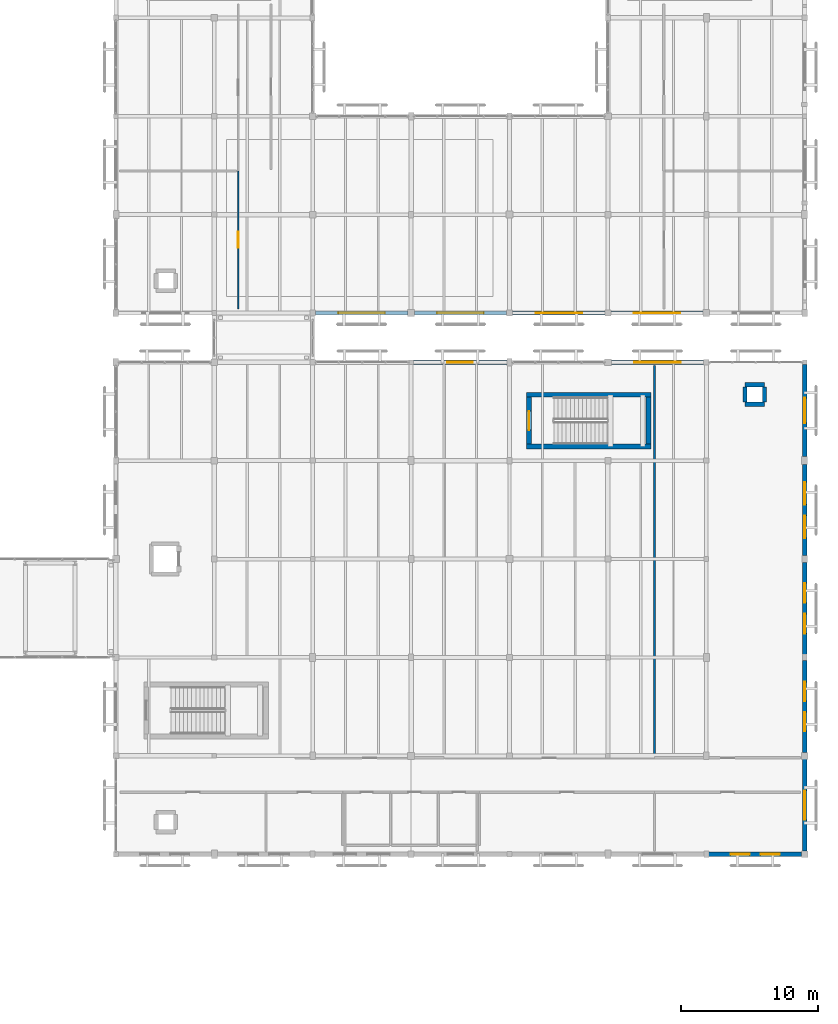
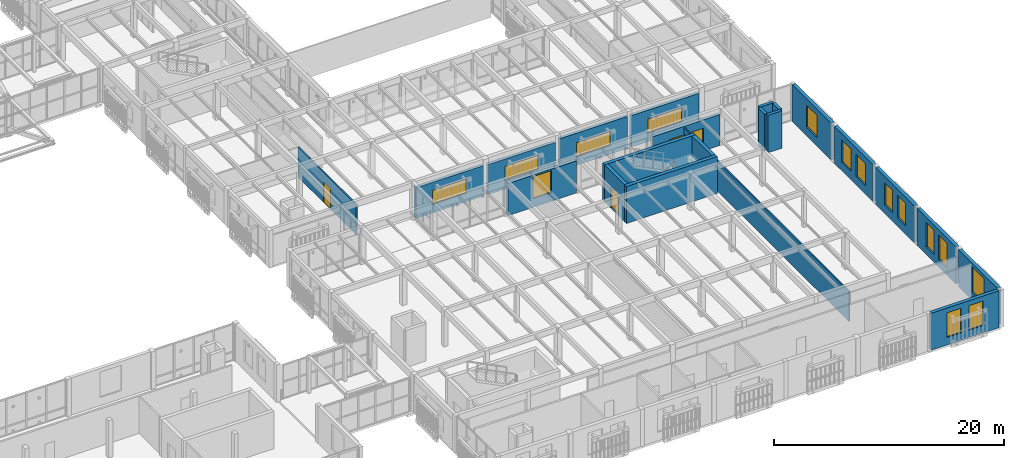
# One storey, part 185 of 217: 22 walls, 16 windows, 2 doors, 18 openings.
"""IFC4 building model written with IfcOpenShell, lengths in metres."""

from ifc_helpers import new_model, si_unit, direction, frame, frame_2d, origin, place, context, subcontext, project, spatial, rectangle, extrude, material, layer, layer_set, type_object, element, fill, save


model = new_model("IFC4")

# Units and contexts
model_context = context("Model", 3, precision=1e-05, world=origin(), true_north=direction((0.0, 1.0)))
body_context = subcontext(model_context, "Body", "Model", "MODEL_VIEW")
ifc_project = project(units=[si_unit("LENGTHUNIT", "METRE"), si_unit("AREAUNIT", "SQUARE_METRE"), si_unit("VOLUMEUNIT", "CUBIC_METRE"), si_unit("PLANEANGLEUNIT", "RADIAN"), si_unit("MASSUNIT", "GRAM", prefix="KILO")], contexts=[model_context])

# Site, building, storey
site_placement = place(None, origin())
site = spatial("IfcSite", under=ifc_project, at=site_placement, CompositionType="ELEMENT")
building_placement = place(site_placement, origin())
building = spatial("IfcBuilding", under=site, at=building_placement, Name="Mazaris Harbour Polytechnic", CompositionType="ELEMENT")
storey_placement = place(building_placement, frame((0.0, 0.0, 9.60009765625)))
storey = spatial("IfcBuildingStorey", under=building, at=storey_placement, Name="L02", CompositionType="ELEMENT", Elevation=9.60009765625)

# Wall, opening, window
ifc_material_1 = material(Name="Algerian Buff Limestone and Mineral Wool", Category="masonry")
ifc_layer_1 = layer(ifc_material_1, 0.31005859375, Name="Algerian Buff Limestone and Mineral Wool")
ifc_layer_set_1 = layer_set([ifc_layer_1], Name="Algerian Buff Limestone and Mineral Wool")
wall_type_1 = type_object("IfcWallType", Name="Limestone Studio Wall 310", PredefinedType="STANDARD", material=ifc_layer_set_1)
wall_1_placement = place(storey_placement, frame((143.758056640625, 46.800048828125, 0.0), z_axis=(0.0, 0.0, 1.0), x_axis=(-1.0, 0.0, 0.0)))
wall_1 = element("IfcWall", 1, at=wall_1_placement, inside=storey, type_object=wall_type_1, Name="V5 L02 Exterior Wall 334", PredefinedType="STANDARD", context=body_context, shape_type="SweptSolid", body=[
    extrude(rectangle(XDim=6.756103515625, YDim=0.31005859375, at=frame_2d((3.3779296875, 0.0))), origin(), (0.0, 0.0, 1.0), 3.239990234375),
])
opening_1_placement = place(wall_1_placement, frame((1.677978515625, 0.0, 0.89990234375)))
opening_1 = element("IfcOpeningElement", 2, at=opening_1_placement, cuts=wall_1, Name="Opening WN-16", PredefinedType="OPENING", context=body_context, shape_type="SweptSolid", body=[
    extrude(rectangle(XDim=3.39990234375, YDim=1.5, at=frame_2d((1.699951171875, 0.75))), frame((0.0, 0.1650390625, 0.0), z_axis=(0.0, -1.0, 0.0), x_axis=(1.0, 0.0, 0.0)), (0.0, 0.0, 1.0), 0.330078125),
])
ifc_material_2 = material(Name="Thermally Broken Bronze Aluminium and Low-E Glass", Category="aluminium")
window_type_1 = type_object("IfcWindowType", Name="Workshop Clerestory Ribbon 3400x1500", PartitioningType="DOUBLE_PANEL_VERTICAL", PredefinedType="WINDOW", material=ifc_material_2)
window_1_placement = place(opening_1_placement, origin())
window_1 = element("IfcWindow", 3, at=window_1_placement, inside=storey, type_object=window_type_1, Name="WN-0385", OverallHeight=1.5, OverallWidth=3.39990234375, PartitioningType="DOUBLE_PANEL_VERTICAL", PredefinedType="WINDOW", context=body_context, shape_type="SweptSolid", body=[
    extrude(rectangle(XDim=3.39990234375, YDim=1.5, at=frame_2d((1.699951171875, 0.75))), frame((0.0, 0.030029296875, 0.0), z_axis=(0.0, -1.0, 0.0), x_axis=(1.0, 0.0, 0.0)), (0.0, 0.0, 1.0), 0.06005859375),
])
fill(opening_1, window_1)

wall_2_placement = place(storey_placement, frame((150.97802734375, 46.800048828125, 0.0), z_axis=(0.0, 0.0, 1.0), x_axis=(-1.0, 0.0, 0.0)))
wall_2 = element("IfcWall", 4, at=wall_2_placement, inside=storey, type_object=wall_type_1, Name="V5 L02 Exterior Wall 335", PredefinedType="STANDARD", context=body_context, shape_type="SweptSolid", body=[
    extrude(rectangle(XDim=6.736083984375, YDim=0.31005859375, at=frame_2d((3.3681640625, 0.0))), origin(), (0.0, 0.0, 1.0), 3.179931640625),
])
opening_2_placement = place(wall_2_placement, frame((1.66796875, 0.0, 0.89990234375)))
opening_2 = element("IfcOpeningElement", 5, at=opening_2_placement, cuts=wall_2, Name="Opening WN-16", PredefinedType="OPENING", context=body_context, shape_type="SweptSolid", body=[
    extrude(rectangle(XDim=3.39990234375, YDim=1.5, at=frame_2d((1.699951171875, 0.75))), frame((0.0, 0.1650390625, 0.0), z_axis=(0.0, -1.0, 0.0), x_axis=(1.0, 0.0, 0.0)), (0.0, 0.0, 1.0), 0.330078125),
])
window_2_placement = place(opening_2_placement, origin())
window_2 = element("IfcWindow", 6, at=window_2_placement, inside=storey, type_object=window_type_1, Name="WN-0386", OverallHeight=1.5, OverallWidth=3.39990234375, PartitioningType="DOUBLE_PANEL_VERTICAL", PredefinedType="WINDOW", context=body_context, shape_type="SweptSolid", body=[
    extrude(rectangle(XDim=3.39990234375, YDim=1.5, at=frame_2d((1.699951171875, 0.75))), frame((0.0, 0.030029296875, 0.0), z_axis=(0.0, -1.0, 0.0), x_axis=(1.0, 0.0, 0.0)), (0.0, 0.0, 1.0), 0.06005859375),
])
fill(opening_2, window_2)

wall_3_placement = place(storey_placement, frame((158.197998046875, 46.800048828125, 0.0), z_axis=(0.0, 0.0, 1.0), x_axis=(-1.0, 0.0, 0.0)))
wall_3 = element("IfcWall", 7, at=wall_3_placement, inside=storey, type_object=wall_type_1, Name="V5 L02 Exterior Wall 336", PredefinedType="STANDARD", context=body_context, shape_type="SweptSolid", body=[
    extrude(rectangle(XDim=6.77587890625, YDim=0.31005859375, at=frame_2d((3.387939453125, 0.0))), origin(), (0.0, 0.0, 1.0), 3.39990234375),
])
opening_3_placement = place(wall_3_placement, frame((1.68798828125, 0.0, 0.89990234375)))
opening_3 = element("IfcOpeningElement", 8, at=opening_3_placement, cuts=wall_3, Name="Opening WN-16", PredefinedType="OPENING", context=body_context, shape_type="SweptSolid", body=[
    extrude(rectangle(XDim=3.39990234375, YDim=1.5, at=frame_2d((1.699951171875, 0.75))), frame((0.0, 0.1650390625, 0.0), z_axis=(0.0, -1.0, 0.0), x_axis=(1.0, 0.0, 0.0)), (0.0, 0.0, 1.0), 0.330078125),
])
window_3_placement = place(opening_3_placement, origin())
window_3 = element("IfcWindow", 9, at=window_3_placement, inside=storey, type_object=window_type_1, Name="WN-0387", OverallHeight=1.5, OverallWidth=3.39990234375, PartitioningType="DOUBLE_PANEL_VERTICAL", PredefinedType="WINDOW", context=body_context, shape_type="SweptSolid", body=[
    extrude(rectangle(XDim=3.39990234375, YDim=1.5, at=frame_2d((1.699951171875, 0.75))), frame((0.0, 0.030029296875, 0.0), z_axis=(0.0, -1.0, 0.0), x_axis=(1.0, 0.0, 0.0)), (0.0, 0.0, 1.0), 0.06005859375),
])
fill(opening_3, window_3)

wall_4_placement = place(storey_placement, frame((165.35791015625, 46.800048828125, 0.0), z_axis=(0.0, 0.0, 1.0), x_axis=(-1.0, 0.0, 0.0)))
wall_4 = element("IfcWall", 10, at=wall_4_placement, inside=storey, type_object=wall_type_1, Name="V5 L02 Exterior Wall 337", PredefinedType="STANDARD", context=body_context, shape_type="SweptSolid", body=[
    extrude(rectangle(XDim=6.755859375, YDim=0.31005859375, at=frame_2d((3.3779296875, 0.0))), origin(), (0.0, 0.0, 1.0), 3.33984375),
])
opening_4_placement = place(wall_4_placement, frame((1.677978515625, 0.0, 0.89990234375)))
opening_4 = element("IfcOpeningElement", 11, at=opening_4_placement, cuts=wall_4, Name="Opening WN-16", PredefinedType="OPENING", context=body_context, shape_type="SweptSolid", body=[
    extrude(rectangle(XDim=3.39990234375, YDim=1.5, at=frame_2d((1.699951171875, 0.75))), frame((0.0, 0.1650390625, 0.0), z_axis=(0.0, -1.0, 0.0), x_axis=(1.0, 0.0, 0.0)), (0.0, 0.0, 1.0), 0.330078125),
])
window_4_placement = place(opening_4_placement, origin())
window_4 = element("IfcWindow", 12, at=window_4_placement, inside=storey, type_object=window_type_1, Name="WN-0388", OverallHeight=1.5, OverallWidth=3.39990234375, PartitioningType="DOUBLE_PANEL_VERTICAL", PredefinedType="WINDOW", context=body_context, shape_type="SweptSolid", body=[
    extrude(rectangle(XDim=3.39990234375, YDim=1.5, at=frame_2d((1.699951171875, 0.75))), frame((0.0, 0.030029296875, 0.0), z_axis=(0.0, -1.0, 0.0), x_axis=(1.0, 0.0, 0.0)), (0.0, 0.0, 1.0), 0.06005859375),
])
fill(opening_4, window_4)

# Wall, openings, windows
ifc_material_3 = material(Name="Algerian Buff Limestone and Concrete C30/37", Category="masonry")
ifc_layer_2 = layer(ifc_material_3, 0.344970703125, Name="Algerian Buff Limestone and Concrete C30/37")
ifc_layer_set_2 = layer_set([ifc_layer_2], Name="Algerian Buff Limestone and Concrete C30/37")
wall_type_2 = type_object("IfcWallType", Name="Pavilion Gable Wall 345", PredefinedType="STANDARD", material=ifc_layer_set_2)
wall_5_placement = place(storey_placement, frame((172.577880859375, 7.199951171875, 0.0), z_axis=(0.0, 0.0, 1.0), x_axis=(-1.0, 0.0, 0.0)))
wall_5 = element("IfcWall", 13, at=wall_5_placement, inside=storey, type_object=wall_type_2, Name="V2 L02 Exterior Wall 73", PredefinedType="STANDARD", context=body_context, shape_type="SweptSolid", body=[
    extrude(rectangle(XDim=6.805908203125, YDim=0.344970703125, at=frame_2d((3.40283203125, 0.0))), origin(), (0.0, 0.0, 1.0), 3.919921875),
])
opening_5_placement = place(wall_5_placement, frame((1.60302734375, 0.0, 0.800048828125)))
opening_5 = element("IfcOpeningElement", 14, at=opening_5_placement, cuts=wall_5, Name="Opening WN-01", PredefinedType="OPENING", context=body_context, shape_type="SweptSolid", body=[
    extrude(rectangle(XDim=1.39990234375, YDim=2.60009765625, at=frame_2d((0.699951171875, 1.300048828125))), frame((0.0, 0.182373046875, 0.0), z_axis=(0.0, -1.0, 0.0), x_axis=(1.0, 0.0, 0.0)), (0.0, 0.0, 1.0), 0.364990234375),
])
opening_6_placement = place(wall_5_placement, frame((3.802978515625, 0.0, 0.800048828125)))
opening_6 = element("IfcOpeningElement", 15, at=opening_6_placement, cuts=wall_5, Name="Opening WN-01", PredefinedType="OPENING", context=body_context, shape_type="SweptSolid", body=[
    extrude(rectangle(XDim=1.39990234375, YDim=2.60009765625, at=frame_2d((0.699951171875, 1.300048828125))), frame((0.0, 0.182373046875, 0.0), z_axis=(0.0, -1.0, 0.0), x_axis=(1.0, 0.0, 0.0)), (0.0, 0.0, 1.0), 0.364990234375),
])
ifc_material_4 = material(Name="Thermally Broken Bronze Aluminium and Low-E Glass", Category="aluminium")
window_type_2 = type_object("IfcWindowType", Name="Neoclassical Tall Window 1400x2600", PartitioningType="DOUBLE_PANEL_VERTICAL", PredefinedType="WINDOW", material=ifc_material_4)
window_5_placement = place(opening_5_placement, origin())
window_5 = element("IfcWindow", 16, at=window_5_placement, inside=storey, type_object=window_type_2, Name="WN-0068", OverallHeight=2.60009765625, OverallWidth=1.39990234375, PartitioningType="DOUBLE_PANEL_VERTICAL", PredefinedType="WINDOW", context=body_context, shape_type="SweptSolid", body=[
    extrude(rectangle(XDim=1.39990234375, YDim=2.60009765625, at=frame_2d((0.699951171875, 1.300048828125))), frame((0.0, 0.030029296875, 0.0), z_axis=(0.0, -1.0, 0.0), x_axis=(1.0, 0.0, 0.0)), (0.0, 0.0, 1.0), 0.06005859375),
])
fill(opening_5, window_5)
window_6_placement = place(opening_6_placement, origin())
window_6 = element("IfcWindow", 17, at=window_6_placement, inside=storey, type_object=window_type_2, Name="WN-0069", OverallHeight=2.60009765625, OverallWidth=1.39990234375, PartitioningType="DOUBLE_PANEL_VERTICAL", PredefinedType="WINDOW", context=body_context, shape_type="SweptSolid", body=[
    extrude(rectangle(XDim=1.39990234375, YDim=2.60009765625, at=frame_2d((0.699951171875, 1.300048828125))), frame((0.0, 0.030029296875, 0.0), z_axis=(0.0, -1.0, 0.0), x_axis=(1.0, 0.0, 0.0)), (0.0, 0.0, 1.0), 0.06005859375),
])
fill(opening_6, window_6)

# Wall, opening, window
wall_6_placement = place(storey_placement, frame((144.162109375, 43.199951171875, 0.0), z_axis=(0.0, 0.0, 1.0), x_axis=(1.0, 0.0, 0.0)))
wall_6 = element("IfcWall", 18, at=wall_6_placement, inside=storey, type_object=wall_type_2, Name="V2 L02 Exterior Wall 74", PredefinedType="STANDARD", context=body_context, shape_type="SweptSolid", body=[
    extrude(rectangle(XDim=6.845947265625, YDim=0.344970703125, at=frame_2d((3.4228515625, 0.0))), origin(), (0.0, 0.0, 1.0), 3.39990234375),
])
opening_7_placement = place(wall_6_placement, frame((2.498046875, 0.0, 0.89990234375)))
opening_7 = element("IfcOpeningElement", 19, at=opening_7_placement, cuts=wall_6, Name="Opening WN-21", PredefinedType="OPENING", context=body_context, shape_type="SweptSolid", body=[
    extrude(rectangle(XDim=1.85009765625, YDim=2.35009765625, at=frame_2d((0.925048828125, 1.175048828125))), frame((0.0, 0.182373046875, 0.0), z_axis=(0.0, -1.0, 0.0), x_axis=(1.0, 0.0, 0.0)), (0.0, 0.0, 1.0), 0.364990234375),
])
ifc_material_5 = material(Name="Thermally Broken Bronze Aluminium and Low-E Glass", Category="aluminium")
window_type_3 = type_object("IfcWindowType", Name="Courtyard Gallery Window 1850x2350", PartitioningType="DOUBLE_PANEL_VERTICAL", PredefinedType="WINDOW", material=ifc_material_5)
window_7_placement = place(opening_7_placement, origin())
window_7 = element("IfcWindow", 20, at=window_7_placement, inside=storey, type_object=window_type_3, Name="WN-0070", OverallHeight=2.35009765625, OverallWidth=1.85009765625, PartitioningType="DOUBLE_PANEL_VERTICAL", PredefinedType="WINDOW", context=body_context, shape_type="SweptSolid", body=[
    extrude(rectangle(XDim=1.85009765625, YDim=2.35009765625, at=frame_2d((0.925048828125, 1.175048828125))), frame((0.0, 0.030029296875, 0.0), z_axis=(0.0, -1.0, 0.0), x_axis=(1.0, 0.0, 0.0)), (0.0, 0.0, 1.0), 0.06005859375),
])
fill(opening_7, window_7)

wall_7_placement = place(storey_placement, frame((158.64208984375, 43.199951171875, 0.0), z_axis=(0.0, 0.0, 1.0), x_axis=(1.0, 0.0, 0.0)))
wall_7 = element("IfcWall", 21, at=wall_7_placement, inside=storey, type_object=wall_type_2, Name="V2 L02 Exterior Wall 75", PredefinedType="STANDARD", context=body_context, shape_type="SweptSolid", body=[
    extrude(rectangle(XDim=6.755859375, YDim=0.344970703125, at=frame_2d((3.3779296875, 0.0))), origin(), (0.0, 0.0, 1.0), 3.27978515625),
])
opening_8_placement = place(wall_7_placement, frame((1.677978515625, 0.0, 0.89990234375)))
opening_8 = element("IfcOpeningElement", 22, at=opening_8_placement, cuts=wall_7, Name="Opening WN-16", PredefinedType="OPENING", context=body_context, shape_type="SweptSolid", body=[
    extrude(rectangle(XDim=3.39990234375, YDim=1.5, at=frame_2d((1.699951171875, 0.75))), frame((0.0, 0.182373046875, 0.0), z_axis=(0.0, -1.0, 0.0), x_axis=(1.0, 0.0, 0.0)), (0.0, 0.0, 1.0), 0.364990234375),
])
window_8_placement = place(opening_8_placement, origin())
window_8 = element("IfcWindow", 23, at=window_8_placement, inside=storey, type_object=window_type_1, Name="WN-0071", OverallHeight=1.5, OverallWidth=3.39990234375, PartitioningType="DOUBLE_PANEL_VERTICAL", PredefinedType="WINDOW", context=body_context, shape_type="SweptSolid", body=[
    extrude(rectangle(XDim=3.39990234375, YDim=1.5, at=frame_2d((1.699951171875, 0.75))), frame((0.0, 0.030029296875, 0.0), z_axis=(0.0, -1.0, 0.0), x_axis=(1.0, 0.0, 0.0)), (0.0, 0.0, 1.0), 0.06005859375),
])
fill(opening_8, window_8)

wall_8_placement = place(storey_placement, frame((172.800048828125, 14.157958984375, 0.0), z_axis=(0.0, 0.0, 1.0), x_axis=(0.0, -1.0, 0.0)))
wall_8 = element("IfcWall", 24, at=wall_8_placement, inside=storey, type_object=wall_type_2, Name="V2 L02 Exterior Wall 78", PredefinedType="STANDARD", context=body_context, shape_type="SweptSolid", body=[
    extrude(rectangle(XDim=6.73583984375, YDim=0.344970703125, at=frame_2d((3.367919921875, 0.0))), origin(), (0.0, 0.0, 1.0), 3.919921875),
])
opening_9_placement = place(wall_8_placement, frame((2.29296875, 0.0, 0.85009765625)))
opening_9 = element("IfcOpeningElement", 25, at=opening_9_placement, cuts=wall_8, Name="Opening WN-23", PredefinedType="OPENING", context=body_context, shape_type="SweptSolid", body=[
    extrude(rectangle(XDim=2.14990234375, YDim=2.699951171875, at=frame_2d((1.074951171875, 1.35009765625))), frame((0.0, 0.182373046875, 0.0), z_axis=(0.0, -1.0, 0.0), x_axis=(1.0, 0.0, 0.0)), (0.0, 0.0, 1.0), 0.364990234375),
])
ifc_material_6 = material(Name="Thermally Broken Bronze Aluminium and Low-E Glass", Category="aluminium")
window_type_4 = type_object("IfcWindowType", Name="Harbour Promenade Window 2150x2700", PartitioningType="DOUBLE_PANEL_VERTICAL", PredefinedType="WINDOW", material=ifc_material_6)
window_9_placement = place(opening_9_placement, origin())
window_9 = element("IfcWindow", 26, at=window_9_placement, inside=storey, type_object=window_type_4, Name="WN-0075", OverallHeight=2.699951171875, OverallWidth=2.14990234375, PartitioningType="DOUBLE_PANEL_VERTICAL", PredefinedType="WINDOW", context=body_context, shape_type="SweptSolid", body=[
    extrude(rectangle(XDim=2.14990234375, YDim=2.699951171875, at=frame_2d((1.074951171875, 1.35009765625))), frame((0.0, 0.030029296875, 0.0), z_axis=(0.0, -1.0, 0.0), x_axis=(1.0, 0.0, 0.0)), (0.0, 0.0, 1.0), 0.06005859375),
])
fill(opening_9, window_9)

# Wall, openings, windows
wall_9_placement = place(storey_placement, frame((172.800048828125, 21.367919921875, 0.0), z_axis=(0.0, 0.0, 1.0), x_axis=(0.0, -1.0, 0.0)))
wall_9 = element("IfcWall", 27, at=wall_9_placement, inside=storey, type_object=wall_type_2, Name="V2 L02 Exterior Wall 79", PredefinedType="STANDARD", context=body_context, shape_type="SweptSolid", body=[
    extrude(rectangle(XDim=6.725830078125, YDim=0.344970703125, at=frame_2d((3.36279296875, 0.0))), origin(), (0.0, 0.0, 1.0), 3.919921875),
])
opening_10_placement = place(wall_9_placement, frame((1.56298828125, 0.0, 0.800048828125)))
opening_10 = element("IfcOpeningElement", 28, at=opening_10_placement, cuts=wall_9, Name="Opening WN-01", PredefinedType="OPENING", context=body_context, shape_type="SweptSolid", body=[
    extrude(rectangle(XDim=1.39990234375, YDim=2.60009765625, at=frame_2d((0.699951171875, 1.300048828125))), frame((0.0, 0.182373046875, 0.0), z_axis=(0.0, -1.0, 0.0), x_axis=(1.0, 0.0, 0.0)), (0.0, 0.0, 1.0), 0.364990234375),
])
opening_11_placement = place(wall_9_placement, frame((3.762939453125, 0.0, 0.800048828125)))
opening_11 = element("IfcOpeningElement", 29, at=opening_11_placement, cuts=wall_9, Name="Opening WN-01", PredefinedType="OPENING", context=body_context, shape_type="SweptSolid", body=[
    extrude(rectangle(XDim=1.39990234375, YDim=2.60009765625, at=frame_2d((0.699951171875, 1.300048828125))), frame((0.0, 0.182373046875, 0.0), z_axis=(0.0, -1.0, 0.0), x_axis=(1.0, 0.0, 0.0)), (0.0, 0.0, 1.0), 0.364990234375),
])
window_10_placement = place(opening_10_placement, origin())
window_10 = element("IfcWindow", 30, at=window_10_placement, inside=storey, type_object=window_type_2, Name="WN-0076", OverallHeight=2.60009765625, OverallWidth=1.39990234375, PartitioningType="DOUBLE_PANEL_VERTICAL", PredefinedType="WINDOW", context=body_context, shape_type="SweptSolid", body=[
    extrude(rectangle(XDim=1.39990234375, YDim=2.60009765625, at=frame_2d((0.699951171875, 1.300048828125))), frame((0.0, 0.030029296875, 0.0), z_axis=(0.0, -1.0, 0.0), x_axis=(1.0, 0.0, 0.0)), (0.0, 0.0, 1.0), 0.06005859375),
])
fill(opening_10, window_10)
window_11_placement = place(opening_11_placement, origin())
window_11 = element("IfcWindow", 31, at=window_11_placement, inside=storey, type_object=window_type_2, Name="WN-0077", OverallHeight=2.60009765625, OverallWidth=1.39990234375, PartitioningType="DOUBLE_PANEL_VERTICAL", PredefinedType="WINDOW", context=body_context, shape_type="SweptSolid", body=[
    extrude(rectangle(XDim=1.39990234375, YDim=2.60009765625, at=frame_2d((0.699951171875, 1.300048828125))), frame((0.0, 0.030029296875, 0.0), z_axis=(0.0, -1.0, 0.0), x_axis=(1.0, 0.0, 0.0)), (0.0, 0.0, 1.0), 0.06005859375),
])
fill(opening_11, window_11)

wall_10_placement = place(storey_placement, frame((172.800048828125, 28.5380859375, 0.0), z_axis=(0.0, 0.0, 1.0), x_axis=(0.0, -1.0, 0.0)))
wall_10 = element("IfcWall", 32, at=wall_10_placement, inside=storey, type_object=wall_type_2, Name="V2 L02 Exterior Wall 80", PredefinedType="STANDARD", context=body_context, shape_type="SweptSolid", body=[
    extrude(rectangle(XDim=6.7060546875, YDim=0.344970703125, at=frame_2d((3.35302734375, 0.0))), origin(), (0.0, 0.0, 1.0), 3.919921875),
])
opening_12_placement = place(wall_10_placement, frame((1.5029296875, 0.0, 0.89990234375)))
opening_12 = element("IfcOpeningElement", 33, at=opening_12_placement, cuts=wall_10, Name="Opening WN-19", PredefinedType="OPENING", context=body_context, shape_type="SweptSolid", body=[
    extrude(rectangle(XDim=1.449951171875, YDim=2.35009765625, at=frame_2d((0.72509765625, 1.175048828125))), frame((0.0, 0.182373046875, 0.0), z_axis=(0.0, -1.0, 0.0), x_axis=(1.0, 0.0, 0.0)), (0.0, 0.0, 1.0), 0.364990234375),
])
opening_13_placement = place(wall_10_placement, frame((3.7529296875, 0.0, 0.89990234375)))
opening_13 = element("IfcOpeningElement", 34, at=opening_13_placement, cuts=wall_10, Name="Opening WN-19", PredefinedType="OPENING", context=body_context, shape_type="SweptSolid", body=[
    extrude(rectangle(XDim=1.449951171875, YDim=2.35009765625, at=frame_2d((0.72509765625, 1.175048828125))), frame((0.0, 0.182373046875, 0.0), z_axis=(0.0, -1.0, 0.0), x_axis=(1.0, 0.0, 0.0)), (0.0, 0.0, 1.0), 0.364990234375),
])
ifc_material_7 = material(Name="Thermally Broken Bronze Aluminium and Low-E Glass", Category="aluminium")
window_type_5 = type_object("IfcWindowType", Name="Courtyard Gallery Window 1450x2350", PartitioningType="DOUBLE_PANEL_VERTICAL", PredefinedType="WINDOW", material=ifc_material_7)
window_12_placement = place(opening_12_placement, origin())
window_12 = element("IfcWindow", 35, at=window_12_placement, inside=storey, type_object=window_type_5, Name="WN-0078", OverallHeight=2.35009765625, OverallWidth=1.449951171875, PartitioningType="DOUBLE_PANEL_VERTICAL", PredefinedType="WINDOW", context=body_context, shape_type="SweptSolid", body=[
    extrude(rectangle(XDim=1.449951171875, YDim=2.35009765625, at=frame_2d((0.72509765625, 1.175048828125))), frame((0.0, 0.030029296875, 0.0), z_axis=(0.0, -1.0, 0.0), x_axis=(1.0, 0.0, 0.0)), (0.0, 0.0, 1.0), 0.06005859375),
])
fill(opening_12, window_12)
window_13_placement = place(opening_13_placement, origin())
window_13 = element("IfcWindow", 36, at=window_13_placement, inside=storey, type_object=window_type_5, Name="WN-0079", OverallHeight=2.35009765625, OverallWidth=1.449951171875, PartitioningType="DOUBLE_PANEL_VERTICAL", PredefinedType="WINDOW", context=body_context, shape_type="SweptSolid", body=[
    extrude(rectangle(XDim=1.449951171875, YDim=2.35009765625, at=frame_2d((0.72509765625, 1.175048828125))), frame((0.0, 0.030029296875, 0.0), z_axis=(0.0, -1.0, 0.0), x_axis=(1.0, 0.0, 0.0)), (0.0, 0.0, 1.0), 0.06005859375),
])
fill(opening_13, window_13)

wall_11_placement = place(storey_placement, frame((172.800048828125, 35.7080078125, 0.0), z_axis=(0.0, 0.0, 1.0), x_axis=(0.0, -1.0, 0.0)))
wall_11 = element("IfcWall", 37, at=wall_11_placement, inside=storey, type_object=wall_type_2, Name="V2 L02 Exterior Wall 81", PredefinedType="STANDARD", context=body_context, shape_type="SweptSolid", body=[
    extrude(rectangle(XDim=6.64599609375, YDim=0.344970703125, at=frame_2d((3.322998046875, 0.0))), origin(), (0.0, 0.0, 1.0), 3.919921875),
])
opening_14_placement = place(wall_11_placement, frame((1.27294921875, 0.0, 0.89990234375)))
opening_14 = element("IfcOpeningElement", 38, at=opening_14_placement, cuts=wall_11, Name="Opening WN-20", PredefinedType="OPENING", context=body_context, shape_type="SweptSolid", body=[
    extrude(rectangle(XDim=1.64990234375, YDim=2.35009765625, at=frame_2d((0.824951171875, 1.175048828125))), frame((0.0, 0.182373046875, 0.0), z_axis=(0.0, -1.0, 0.0), x_axis=(1.0, 0.0, 0.0)), (0.0, 0.0, 1.0), 0.364990234375),
])
opening_15_placement = place(wall_11_placement, frame((3.722900390625, 0.0, 0.89990234375)))
opening_15 = element("IfcOpeningElement", 39, at=opening_15_placement, cuts=wall_11, Name="Opening WN-20", PredefinedType="OPENING", context=body_context, shape_type="SweptSolid", body=[
    extrude(rectangle(XDim=1.64990234375, YDim=2.35009765625, at=frame_2d((0.824951171875, 1.175048828125))), frame((0.0, 0.182373046875, 0.0), z_axis=(0.0, -1.0, 0.0), x_axis=(1.0, 0.0, 0.0)), (0.0, 0.0, 1.0), 0.364990234375),
])
ifc_material_8 = material(Name="Thermally Broken Bronze Aluminium and Low-E Glass", Category="aluminium")
window_type_6 = type_object("IfcWindowType", Name="Courtyard Gallery Window 1650x2350", PartitioningType="DOUBLE_PANEL_VERTICAL", PredefinedType="WINDOW", material=ifc_material_8)
window_14_placement = place(opening_14_placement, origin())
window_14 = element("IfcWindow", 40, at=window_14_placement, inside=storey, type_object=window_type_6, Name="WN-0080", OverallHeight=2.35009765625, OverallWidth=1.64990234375, PartitioningType="DOUBLE_PANEL_VERTICAL", PredefinedType="WINDOW", context=body_context, shape_type="SweptSolid", body=[
    extrude(rectangle(XDim=1.64990234375, YDim=2.35009765625, at=frame_2d((0.824951171875, 1.175048828125))), frame((0.0, 0.030029296875, 0.0), z_axis=(0.0, -1.0, 0.0), x_axis=(1.0, 0.0, 0.0)), (0.0, 0.0, 1.0), 0.06005859375),
])
fill(opening_14, window_14)
window_15_placement = place(opening_15_placement, origin())
window_15 = element("IfcWindow", 41, at=window_15_placement, inside=storey, type_object=window_type_6, Name="WN-0081", OverallHeight=2.35009765625, OverallWidth=1.64990234375, PartitioningType="DOUBLE_PANEL_VERTICAL", PredefinedType="WINDOW", context=body_context, shape_type="SweptSolid", body=[
    extrude(rectangle(XDim=1.64990234375, YDim=2.35009765625, at=frame_2d((0.824951171875, 1.175048828125))), frame((0.0, 0.030029296875, 0.0), z_axis=(0.0, -1.0, 0.0), x_axis=(1.0, 0.0, 0.0)), (0.0, 0.0, 1.0), 0.06005859375),
])
fill(opening_15, window_15)

# Wall, opening, window
wall_12_placement = place(storey_placement, frame((172.800048828125, 43.0380859375, 0.0), z_axis=(0.0, 0.0, 1.0), x_axis=(0.0, -1.0, 0.0)))
wall_12 = element("IfcWall", 42, at=wall_12_placement, inside=storey, type_object=wall_type_2, Name="V2 L02 Exterior Wall 82", PredefinedType="STANDARD", context=body_context, shape_type="SweptSolid", body=[
    extrude(rectangle(XDim=6.74609375, YDim=0.344970703125, at=frame_2d((3.373046875, 0.0))), origin(), (0.0, 0.0, 1.0), 3.919921875),
])
opening_16_placement = place(wall_12_placement, frame((2.447998046875, 0.0, 0.89990234375)))
opening_16 = element("IfcOpeningElement", 43, at=opening_16_placement, cuts=wall_12, Name="Opening WN-21", PredefinedType="OPENING", context=body_context, shape_type="SweptSolid", body=[
    extrude(rectangle(XDim=1.85009765625, YDim=2.35009765625, at=frame_2d((0.925048828125, 1.175048828125))), frame((0.0, 0.182373046875, 0.0), z_axis=(0.0, -1.0, 0.0), x_axis=(1.0, 0.0, 0.0)), (0.0, 0.0, 1.0), 0.364990234375),
])
window_16_placement = place(opening_16_placement, origin())
window_16 = element("IfcWindow", 44, at=window_16_placement, inside=storey, type_object=window_type_3, Name="WN-0082", OverallHeight=2.35009765625, OverallWidth=1.85009765625, PartitioningType="DOUBLE_PANEL_VERTICAL", PredefinedType="WINDOW", context=body_context, shape_type="SweptSolid", body=[
    extrude(rectangle(XDim=1.85009765625, YDim=2.35009765625, at=frame_2d((0.925048828125, 1.175048828125))), frame((0.0, 0.030029296875, 0.0), z_axis=(0.0, -1.0, 0.0), x_axis=(1.0, 0.0, 0.0)), (0.0, 0.0, 1.0), 0.06005859375),
])
fill(opening_16, window_16)

# Walls
ifc_material_9 = material(Name="Concrete C40/50", Category="concrete")
ifc_layer_3 = layer(ifc_material_9, 0.35009765625, Name="Concrete C40/50")
ifc_layer_set_3 = layer_set([ifc_layer_3], Name="Concrete C40/50")
wall_type_3 = type_object("IfcWallType", Name="RC Core Shear Wall 350", PredefinedType="SHEAR", material=ifc_layer_set_3)
for number, where, z_axis, x_axis, name in (
    (45, (152.449951171875, 37.02490234375, 0.0), (0.0, 0.0, 1.0), (1.0, 0.0, 0.0), "Core ST04 L02 Shear Wall S"),
    (46, (161.550048828125, 40.824951171875, 0.0), (0.0, 0.0, 1.0), (-1.0, 0.0, 0.0), "Core ST04 L02 Shear Wall N"),
):
    element("IfcWall", number, at=place(storey_placement, frame(where, z_axis=z_axis, x_axis=x_axis)), inside=storey, type_object=wall_type_3, Name=name, PredefinedType="SHEAR", context=body_context, shape_type="SweptSolid", body=[
        extrude(rectangle(XDim=9.10009765625, YDim=0.35009765625, at=frame_2d((4.550048828125, 0.0))), origin(), (0.0, 0.0, 1.0), 3.919921875),
    ])
wall_13_placement = place(storey_placement, frame((161.375, 37.199951171875, 0.0), z_axis=(0.0, 0.0, 1.0), x_axis=(0.0, 1.0, 0.0)))
element("IfcWall", 47, at=wall_13_placement, inside=storey, type_object=wall_type_3, Name="Core ST04 L02 Shear Wall E", PredefinedType="SHEAR", context=body_context, shape_type="SweptSolid", body=[
    extrude(rectangle(XDim=3.449951171875, YDim=0.35009765625, at=frame_2d((1.72509765625, 0.0))), origin(), (0.0, 0.0, 1.0), 3.919921875),
])

# Wall, opening, door
wall_14_placement = place(storey_placement, frame((152.625, 40.64990234375, 0.0), z_axis=(0.0, 0.0, 1.0), x_axis=(0.0, -1.0, 0.0)))
wall_14 = element("IfcWall", 48, at=wall_14_placement, inside=storey, type_object=wall_type_3, Name="Core ST04 L02 Entrance Shear Wall", PredefinedType="SHEAR", context=body_context, shape_type="SweptSolid", body=[
    extrude(rectangle(XDim=3.449951171875, YDim=0.35009765625, at=frame_2d((1.72509765625, 0.0))), origin(), (0.0, 0.0, 1.0), 3.919921875),
])
opening_17_placement = place(wall_14_placement, frame((1.034912109375, 0.0, 0.0)))
opening_17 = element("IfcOpeningElement", 49, at=opening_17_placement, cuts=wall_14, Name="Opening SD-01", PredefinedType="OPENING", context=body_context, shape_type="SweptSolid", body=[
    extrude(rectangle(XDim=1.3798828125, YDim=2.199951171875, at=frame_2d((0.68994140625, 1.10009765625))), frame((0.0, 0.18505859375, 0.0), z_axis=(0.0, -1.0, 0.0), x_axis=(1.0, 0.0, 0.0)), (0.0, 0.0, 1.0), 0.3701171875),
])
ifc_material_10 = material(Name="Glulam Timber and Fire Glass", Category="wood")
door_type_1 = type_object("IfcDoorType", Name="Protected Stair Lobby Fire Door 1380x2200", OperationType="DOUBLE_DOOR_SINGLE_SWING", PredefinedType="DOOR", material=ifc_material_10)
door_1_placement = place(opening_17_placement, origin())
door_1 = element("IfcDoor", 50, at=door_1_placement, inside=storey, type_object=door_type_1, Name="SD-017", OperationType="DOUBLE_DOOR_SINGLE_SWING", OverallHeight=2.199951171875, OverallWidth=1.3798828125, PredefinedType="DOOR", context=body_context, shape_type="SweptSolid", body=[
    extrude(rectangle(XDim=1.3798828125, YDim=2.199951171875, at=frame_2d((0.68994140625, 1.10009765625))), frame((0.0, 0.02490234375, 0.0), z_axis=(0.0, -1.0, 0.0), x_axis=(1.0, 0.0, 0.0)), (0.0, 0.0, 1.0), 0.050048828125),
])
fill(opening_17, door_1)

# Walls
ifc_material_11 = material(Name="Concrete C40/50", Category="concrete")
ifc_layer_4 = layer(ifc_material_11, 0.300048828125, Name="Concrete C40/50")
ifc_layer_set_4 = layer_set([ifc_layer_4], Name="Concrete C40/50")
wall_type_4 = type_object("IfcWallType", Name="RC Lift Shaft Wall 300", PredefinedType="SHEAR", material=ifc_layer_set_4)
wall_15_placement = place(storey_placement, frame((168.429931640625, 40.1298828125, 0.0), z_axis=(0.0, 0.0, 1.0), x_axis=(1.0, 0.0, 0.0)))
element("IfcWall", 51, at=wall_15_placement, inside=storey, type_object=wall_type_4, Name="V2 L02 Riser Enclosure Wall 2-1", PredefinedType="SHEAR", context=body_context, shape_type="SweptSolid", body=[
    extrude(rectangle(XDim=1.420166015625, YDim=0.300048828125, at=frame_2d((0.7099609375, 0.0))), origin(), (0.0, 0.0, 1.0), 3.9599609375),
])
wall_16_placement = place(storey_placement, frame((169.85009765625, 40.2900390625, 0.0), z_axis=(0.0, 0.0, 1.0), x_axis=(0.0, 1.0, 0.0)))
element("IfcWall", 52, at=wall_16_placement, inside=storey, type_object=wall_type_4, Name="V2 L02 Riser Enclosure Wall 2-2", PredefinedType="SHEAR", context=body_context, shape_type="SweptSolid", body=[
    extrude(rectangle(XDim=1.099853515625, YDim=0.300048828125, at=frame_2d((0.5498046875, 0.0))), origin(), (0.0, 0.0, 1.0), 3.9599609375),
])
wall_17_placement = place(storey_placement, frame((169.85009765625, 41.550048828125, 0.0), z_axis=(0.0, 0.0, 1.0), x_axis=(-1.0, 0.0, 0.0)))
element("IfcWall", 53, at=wall_17_placement, inside=storey, type_object=wall_type_4, Name="V2 L02 Riser Enclosure Wall 2-3", PredefinedType="SHEAR", context=body_context, shape_type="SweptSolid", body=[
    extrude(rectangle(XDim=1.420166015625, YDim=0.300048828125, at=frame_2d((0.7099609375, 0.0))), origin(), (0.0, 0.0, 1.0), 3.9599609375),
])
wall_18_placement = place(storey_placement, frame((168.429931640625, 41.389892578125, 0.0), z_axis=(0.0, 0.0, 1.0), x_axis=(0.0, -1.0, 0.0)))
element("IfcWall", 54, at=wall_18_placement, inside=storey, type_object=wall_type_4, Name="V2 L02 Riser Enclosure Wall 2-4", PredefinedType="SHEAR", context=body_context, shape_type="SweptSolid", body=[
    extrude(rectangle(XDim=1.099853515625, YDim=0.300048828125, at=frame_2d((0.5498046875, 0.0))), origin(), (0.0, 0.0, 1.0), 3.9599609375),
])
ifc_material_12 = material(Name="Gypsum Board and Mineral Wool")
ifc_layer_5 = layer(ifc_material_12, 0.135009765625, Name="Gypsum Board and Mineral Wool")
ifc_layer_set_5 = layer_set([ifc_layer_5], Name="Gypsum Board and Mineral Wool")
wall_type_5 = type_object("IfcWallType", Name="Studio Partition Wall 135", PredefinedType="PARTITIONING", material=ifc_layer_set_5)
wall_19_placement = place(storey_placement, frame((161.81396484375, 14.3701171875, 0.0), z_axis=(0.0, 0.0, 1.0), x_axis=(0.0, 1.0, 0.0)))
element("IfcWall", 55, at=wall_19_placement, inside=storey, type_object=wall_type_5, Name="V2 L02 Partition 153", PredefinedType="PARTITIONING", context=body_context, shape_type="SweptSolid", body=[
    extrude(rectangle(XDim=28.579833984375, YDim=0.135009765625, at=frame_2d((14.2900390625, 0.0))), origin(), (0.0, 0.0, 1.0), 3.179931640625),
])

# Wall, opening, door
wall_20_placement = place(storey_placement, frame((131.35009765625, 47.10009765625, 0.0), z_axis=(0.0, 0.0, 1.0), x_axis=(0.0, 1.0, 0.0)))
wall_20 = element("IfcWall", 56, at=wall_20_placement, inside=storey, type_object=wall_type_5, Name="V5 L02 Partition 602", PredefinedType="PARTITIONING", context=body_context, shape_type="SweptSolid", body=[
    extrude(rectangle(XDim=10.099853515625, YDim=0.135009765625, at=frame_2d((5.0498046875, 0.0))), origin(), (0.0, 0.0, 1.0), 3.179931640625),
])
opening_18_placement = place(wall_20_placement, frame((4.469970703125, 0.0, 0.0)))
opening_18 = element("IfcOpeningElement", 57, at=opening_18_placement, cuts=wall_20, Name="Opening ID-03R", PredefinedType="OPENING", context=body_context, shape_type="SweptSolid", body=[
    extrude(rectangle(XDim=1.159912109375, YDim=2.199951171875, at=frame_2d((0.580078125, 1.10009765625))), frame((0.0, 0.077392578125, 0.0), z_axis=(0.0, -1.0, 0.0), x_axis=(1.0, 0.0, 0.0)), (0.0, 0.0, 1.0), 0.155029296875),
])
ifc_material_13 = material(Name="Glulam Timber and Acoustic Glass", Category="wood")
door_type_2 = type_object("IfcDoorType", Name="Design Studio Door RH 1160x2200", OperationType="SINGLE_SWING_RIGHT", PredefinedType="DOOR", material=ifc_material_13)
door_2_placement = place(opening_18_placement, origin())
door_2 = element("IfcDoor", 58, at=door_2_placement, inside=storey, type_object=door_type_2, Name="ID-0292", OperationType="SINGLE_SWING_RIGHT", OverallHeight=2.199951171875, OverallWidth=1.159912109375, PredefinedType="DOOR", context=body_context, shape_type="SweptSolid", body=[
    extrude(rectangle(XDim=1.159912109375, YDim=2.199951171875, at=frame_2d((0.580078125, 1.10009765625))), frame((0.0, 0.02490234375, 0.0), z_axis=(0.0, -1.0, 0.0), x_axis=(1.0, 0.0, 0.0)), (0.0, 0.0, 1.0), 0.050048828125),
])
fill(opening_18, door_2)

save(model, "model.ifc")
